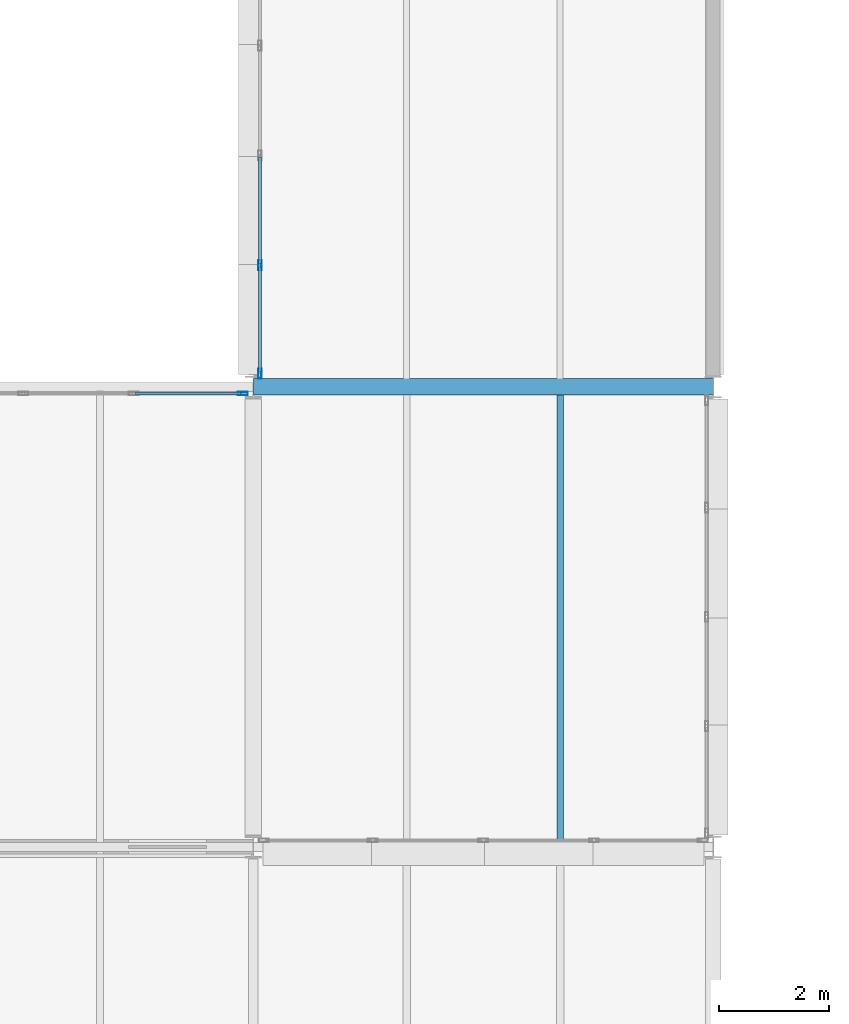
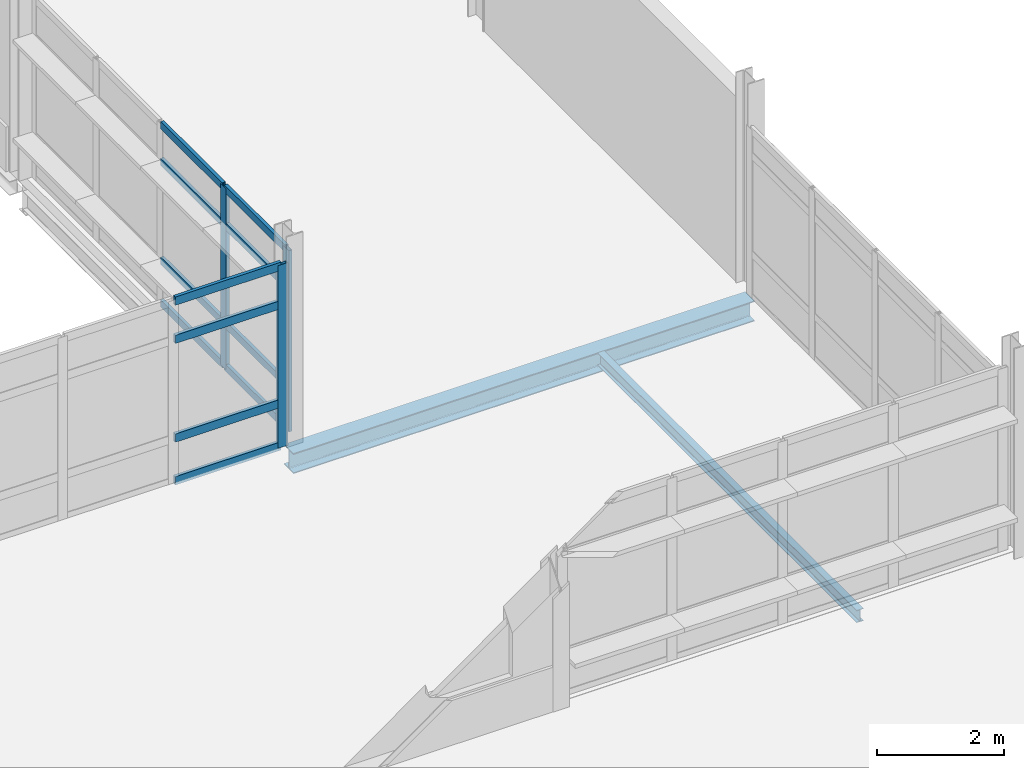
# One storey, part 47 of 151: 15 members, 2 beams, 2 elements without a shape of their own.
"""IFC4 building model written with IfcOpenShell, lengths in metres."""

from ifc_helpers import new_model, si_unit, direction, frame, origin, origin_2d, place, context, subcontext, project, spatial, hollow_rectangle, i_section, extrude, material, material_profile, profile_set, type_object, element, aggregate, save


model = new_model("IFC4")

# Units and contexts
model_context = context("Model", 3, precision=1e-05, world=origin(), true_north=direction((0.0, 1.0)))
body_context = subcontext(model_context, "Body", "Model", "MODEL_VIEW")
ifc_project = project(units=[si_unit("LENGTHUNIT", "METRE"), si_unit("AREAUNIT", "SQUARE_METRE"), si_unit("VOLUMEUNIT", "CUBIC_METRE"), si_unit("PLANEANGLEUNIT", "RADIAN"), si_unit("MASSUNIT", "GRAM", prefix="KILO")], contexts=[model_context])

# Site, building, storey
site_placement = place(None, origin())
site = spatial("IfcSite", under=ifc_project, at=site_placement, CompositionType="ELEMENT")
building_placement = place(site_placement, origin())
building = spatial("IfcBuilding", under=site, at=building_placement, Name="Mersafa Astral City Hall", CompositionType="ELEMENT")
storey_placement = place(building_placement, frame((0.0, 0.0, 9.89990234375)))
storey = spatial("IfcBuildingStorey", under=building, at=storey_placement, Name="L02", CompositionType="ELEMENT", Elevation=9.89990234375)

# Curtain wall, members
ifc_material_1 = material(Name="Anodised bronze aluminium framing", Category="aluminium")
curtain_wall_type_1 = type_object("IfcCurtainWallType", Name="ENV-CW-6", PredefinedType="USERDEFINED", material=ifc_material_1)
curtain_wall_1_placement = place(storey_placement, origin())
curtain_wall_1 = element("IfcCurtainWall", 1, at=curtain_wall_1_placement, inside=storey, type_object=curtain_wall_type_1, Name="L02 Unitised solar curtain wall 131", ObjectType="UNITISED CURTAIN WALL", PredefinedType="USERDEFINED")
ifc_material_profile_1 = material_profile(ifc_material_1, hollow_rectangle(XDim=0.06005859375, YDim=0.179931640625, WallThickness=0.00390625, at=origin_2d()), Name="RHS 60x180x4")
ifc_profile_set_1 = profile_set([ifc_material_profile_1], Name="Anodised bronze aluminium framing")
member_type_1 = type_object("IfcMemberType", Name="ENV-CW-MUL-1", PredefinedType="MULLION", material=ifc_profile_set_1)
member_1_placement = place(storey_placement, frame((33.719970703125, 103.0185546875, -0.001953125), z_axis=(0.0, 0.0, 1.0), x_axis=(1.0, 0.0, 0.0)))
member_1 = element("IfcMember", 2, at=member_1_placement, type_object=member_type_1, Name="CW-6 mullion 4", PredefinedType="MULLION", context=body_context, shape_type="SweptSolid", body=[
    extrude(hollow_rectangle(XDim=0.06005859375, YDim=0.179931640625, WallThickness=0.00390625, at=origin_2d()), origin(), (0.0, 0.0, 1.0), 3.489013671875),
])
member_2_placement = place(storey_placement, frame((33.719970703125, 101.0419921875, -0.001953125), z_axis=(0.0, 0.0, 1.0), x_axis=(1.0, 0.0, 0.0)))
member_2 = element("IfcMember", 3, at=member_2_placement, type_object=member_type_1, Name="CW-6 mullion 5", PredefinedType="MULLION", context=body_context, shape_type="SweptSolid", body=[
    extrude(hollow_rectangle(XDim=0.06005859375, YDim=0.179931640625, WallThickness=0.00390625, at=origin_2d()), origin(), (0.0, 0.0, 1.0), 3.489013671875),
])

# Curtain wall, member
curtain_wall_type_2 = type_object("IfcCurtainWallType", Name="ENV-CW-1", PredefinedType="USERDEFINED", material=ifc_material_1)
curtain_wall_2_placement = place(storey_placement, origin())
curtain_wall_2 = element("IfcCurtainWall", 4, at=curtain_wall_2_placement, inside=storey, type_object=curtain_wall_type_2, Name="L02 Unitised solar curtain wall 132", ObjectType="UNITISED CURTAIN WALL", PredefinedType="USERDEFINED")
member_3_placement = place(storey_placement, frame((33.407958984375, 100.679931640625, -0.001953125), z_axis=(0.0, 0.0, 1.0), x_axis=(0.0, -1.0, 0.0)))
member_3 = element("IfcMember", 5, at=member_3_placement, type_object=member_type_1, Name="CW-1 mullion 1", PredefinedType="MULLION", context=body_context, shape_type="SweptSolid", body=[
    extrude(hollow_rectangle(XDim=0.06005859375, YDim=0.179931640625, WallThickness=0.00390625, at=origin_2d()), origin(), (0.0, 0.0, 1.0), 3.51904296875),
])

# Member
ifc_material_profile_2 = material_profile(ifc_material_1, hollow_rectangle(XDim=0.06005859375, YDim=0.139892578125, WallThickness=0.00390625, at=origin_2d()), Name="RHS 60x140x4")
ifc_profile_set_2 = profile_set([ifc_material_profile_2], Name="Anodised bronze aluminium framing")
member_type_2 = type_object("IfcMemberType", Name="ENV-CW-TRN-1", PredefinedType="USERDEFINED", material=ifc_profile_set_2)
member_4_placement = place(storey_placement, frame((33.719970703125, 104.9951171875, 0.028076171875), z_axis=(0.0, -1.0, 0.0), x_axis=(1.0, 0.0, 0.0)))
member_4 = element("IfcMember", 6, at=member_4_placement, type_object=member_type_2, Name="CW-6 transom 3.1", ObjectType="TRANSOM", PredefinedType="USERDEFINED", context=body_context, shape_type="SweptSolid", body=[
    extrude(hollow_rectangle(XDim=0.06005859375, YDim=0.139892578125, WallThickness=0.00390625, at=origin_2d()), origin(), (0.0, 0.0, 1.0), 1.946533203125),
])

member_5_placement = place(storey_placement, frame((33.719970703125, 104.9951171875, 0.85009765625), z_axis=(0.0, -1.0, 0.0), x_axis=(1.0, 0.0, 0.0)))
member_5 = element("IfcMember", 7, at=member_5_placement, type_object=member_type_2, Name="CW-6 transom 3.2", ObjectType="TRANSOM", PredefinedType="USERDEFINED", context=body_context, shape_type="SweptSolid", body=[
    extrude(hollow_rectangle(XDim=0.06005859375, YDim=0.139892578125, WallThickness=0.00390625, at=origin_2d()), origin(), (0.0, 0.0, 1.0), 1.946533203125),
])

member_6_placement = place(storey_placement, frame((33.719970703125, 104.9951171875, 2.75), z_axis=(0.0, -1.0, 0.0), x_axis=(1.0, 0.0, 0.0)))
member_6 = element("IfcMember", 8, at=member_6_placement, type_object=member_type_2, Name="CW-6 transom 3.3", ObjectType="TRANSOM", PredefinedType="USERDEFINED", context=body_context, shape_type="SweptSolid", body=[
    extrude(hollow_rectangle(XDim=0.06005859375, YDim=0.139892578125, WallThickness=0.00390625, at=origin_2d()), origin(), (0.0, 0.0, 1.0), 1.946533203125),
])

member_7_placement = place(storey_placement, frame((33.719970703125, 104.9951171875, 3.45703125), z_axis=(0.0, -1.0, 0.0), x_axis=(1.0, 0.0, 0.0)))
member_7 = element("IfcMember", 9, at=member_7_placement, type_object=member_type_2, Name="CW-6 transom 3.4", ObjectType="TRANSOM", PredefinedType="USERDEFINED", context=body_context, shape_type="SweptSolid", body=[
    extrude(hollow_rectangle(XDim=0.06005859375, YDim=0.139892578125, WallThickness=0.00390625, at=origin_2d()), origin(), (0.0, 0.0, 1.0), 1.946533203125),
])

member_8_placement = place(storey_placement, frame((33.719970703125, 102.988525390625, 0.028076171875), z_axis=(0.0, -1.0, 0.0), x_axis=(1.0, 0.0, 0.0)))
member_8 = element("IfcMember", 10, at=member_8_placement, type_object=member_type_2, Name="CW-6 transom 4.1", ObjectType="TRANSOM", PredefinedType="USERDEFINED", context=body_context, shape_type="SweptSolid", body=[
    extrude(hollow_rectangle(XDim=0.06005859375, YDim=0.139892578125, WallThickness=0.00390625, at=origin_2d()), origin(), (0.0, 0.0, 1.0), 1.91650390625),
])

member_9_placement = place(storey_placement, frame((33.719970703125, 102.988525390625, 0.85009765625), z_axis=(0.0, -1.0, 0.0), x_axis=(1.0, 0.0, 0.0)))
member_9 = element("IfcMember", 11, at=member_9_placement, type_object=member_type_2, Name="CW-6 transom 4.2", ObjectType="TRANSOM", PredefinedType="USERDEFINED", context=body_context, shape_type="SweptSolid", body=[
    extrude(hollow_rectangle(XDim=0.06005859375, YDim=0.139892578125, WallThickness=0.00390625, at=origin_2d()), origin(), (0.0, 0.0, 1.0), 1.91650390625),
])

member_10_placement = place(storey_placement, frame((33.719970703125, 102.988525390625, 2.75), z_axis=(0.0, -1.0, 0.0), x_axis=(1.0, 0.0, 0.0)))
member_10 = element("IfcMember", 12, at=member_10_placement, type_object=member_type_2, Name="CW-6 transom 4.3", ObjectType="TRANSOM", PredefinedType="USERDEFINED", context=body_context, shape_type="SweptSolid", body=[
    extrude(hollow_rectangle(XDim=0.06005859375, YDim=0.139892578125, WallThickness=0.00390625, at=origin_2d()), origin(), (0.0, 0.0, 1.0), 1.91650390625),
])

member_11_placement = place(storey_placement, frame((33.719970703125, 102.988525390625, 3.45703125), z_axis=(0.0, -1.0, 0.0), x_axis=(1.0, 0.0, 0.0)))
member_11 = element("IfcMember", 13, at=member_11_placement, type_object=member_type_2, Name="CW-6 transom 4.4", ObjectType="TRANSOM", PredefinedType="USERDEFINED", context=body_context, shape_type="SweptSolid", body=[
    extrude(hollow_rectangle(XDim=0.06005859375, YDim=0.139892578125, WallThickness=0.00390625, at=origin_2d()), origin(), (0.0, 0.0, 1.0), 1.91650390625),
])

aggregate(curtain_wall_1, [member_1, member_2, member_4, member_5, member_6, member_7, member_8, member_9, member_10, member_11])

ifc_material_profile_3 = material_profile(ifc_material_1, hollow_rectangle(XDim=0.06005859375, YDim=0.159912109375, WallThickness=0.00390625, at=origin_2d()), Name="RHS 60x160x4")
ifc_profile_set_3 = profile_set([ifc_material_profile_3], Name="Anodised bronze aluminium framing")
member_type_3 = type_object("IfcMemberType", Name="ENV-CW-TRN-2", PredefinedType="USERDEFINED", material=ifc_profile_set_3)
member_12_placement = place(storey_placement, frame((33.3779296875, 100.679931640625, 0.028076171875), z_axis=(-1.0, 0.0, 0.0), x_axis=(0.0, -1.0, 0.0)))
member_12 = element("IfcMember", 14, at=member_12_placement, type_object=member_type_3, Name="CW-1 transom 1.1", ObjectType="TRANSOM", PredefinedType="USERDEFINED", context=body_context, shape_type="SweptSolid", body=[
    extrude(hollow_rectangle(XDim=0.06005859375, YDim=0.159912109375, WallThickness=0.00390625, at=origin_2d()), origin(), (0.0, 0.0, 1.0), 1.928955078125),
])

member_13_placement = place(storey_placement, frame((33.3779296875, 100.679931640625, 0.85009765625), z_axis=(-1.0, 0.0, 0.0), x_axis=(0.0, -1.0, 0.0)))
member_13 = element("IfcMember", 15, at=member_13_placement, type_object=member_type_3, Name="CW-1 transom 1.2", ObjectType="TRANSOM", PredefinedType="USERDEFINED", context=body_context, shape_type="SweptSolid", body=[
    extrude(hollow_rectangle(XDim=0.06005859375, YDim=0.159912109375, WallThickness=0.00390625, at=origin_2d()), origin(), (0.0, 0.0, 1.0), 1.928955078125),
])

member_14_placement = place(storey_placement, frame((33.3779296875, 100.679931640625, 2.75), z_axis=(-1.0, 0.0, 0.0), x_axis=(0.0, -1.0, 0.0)))
member_14 = element("IfcMember", 16, at=member_14_placement, type_object=member_type_3, Name="CW-1 transom 1.3", ObjectType="TRANSOM", PredefinedType="USERDEFINED", context=body_context, shape_type="SweptSolid", body=[
    extrude(hollow_rectangle(XDim=0.06005859375, YDim=0.159912109375, WallThickness=0.00390625, at=origin_2d()), origin(), (0.0, 0.0, 1.0), 1.928955078125),
])

member_15_placement = place(storey_placement, frame((33.3779296875, 100.679931640625, 3.487060546875), z_axis=(-1.0, 0.0, 0.0), x_axis=(0.0, -1.0, 0.0)))
member_15 = element("IfcMember", 17, at=member_15_placement, type_object=member_type_3, Name="CW-1 transom 1.4", ObjectType="TRANSOM", PredefinedType="USERDEFINED", context=body_context, shape_type="SweptSolid", body=[
    extrude(hollow_rectangle(XDim=0.06005859375, YDim=0.159912109375, WallThickness=0.00390625, at=origin_2d()), origin(), (0.0, 0.0, 1.0), 1.928955078125),
])

aggregate(curtain_wall_2, [member_3, member_12, member_13, member_14, member_15])

# Beams
ifc_material_2 = material(Name="Steel S355", Category="steel")
ifc_material_profile_4 = material_profile(ifc_material_2, i_section(OverallWidth=0.300048828125, OverallDepth=0.389892578125, WebThickness=0.010986328125, FlangeThickness=0.01904296875, FilletRadius=0.027099609375, at=origin_2d()), Name="HEA 400")
ifc_profile_set_4 = profile_set([ifc_material_profile_4], Name="Steel S355")
beam_type_1 = type_object("IfcBeamType", Name="STR-BM-HEA400", PredefinedType="BEAM", material=ifc_profile_set_4)
beam_1_placement = place(storey_placement, frame((33.60302734375, 100.800048828125, -0.39501953125), z_axis=(1.0, 0.0, 0.0), x_axis=(0.0, 1.0, 0.0)))
element("IfcBeam", 18, at=beam_1_placement, inside=storey, type_object=beam_type_1, Name="L02 Primary girder X 4-12", PredefinedType="BEAM", context=body_context, shape_type="SweptSolid", body=[
    extrude(i_section(OverallWidth=0.300048828125, OverallDepth=0.389892578125, WebThickness=0.010986328125, FlangeThickness=0.01904296875, FilletRadius=0.027099609375, at=origin_2d()), origin(), (0.0, 0.0, 1.0), 8.39404296875),
])
ifc_material_profile_5 = material_profile(ifc_material_2, i_section(OverallWidth=0.1201171875, OverallDepth=0.239990234375, WebThickness=0.006103515625, FlangeThickness=0.009765625, FilletRadius=0.014892578125, at=origin_2d()), Name="IPE 240")
ifc_profile_set_5 = profile_set([ifc_material_profile_5], Name="Steel S355")
beam_type_2 = type_object("IfcBeamType", Name="STR-BM-JOIST-IPE240", PredefinedType="JOIST", material=ifc_profile_set_5)
beam_2_placement = place(storey_placement, frame((39.199951171875, 92.47509765625, -0.31982421875), z_axis=(0.0, 1.0, 0.0), x_axis=(-1.0, 0.0, 0.0)))
element("IfcBeam", 19, at=beam_2_placement, inside=storey, type_object=beam_type_2, Name="L02 Composite secondary floor joist 415", PredefinedType="JOIST", context=body_context, shape_type="SweptSolid", body=[
    extrude(i_section(OverallWidth=0.1201171875, OverallDepth=0.239990234375, WebThickness=0.006103515625, FlangeThickness=0.009765625, FilletRadius=0.014892578125, at=origin_2d()), origin(), (0.0, 0.0, 1.0), 8.179931640625),
])

save(model, "model.ifc")
